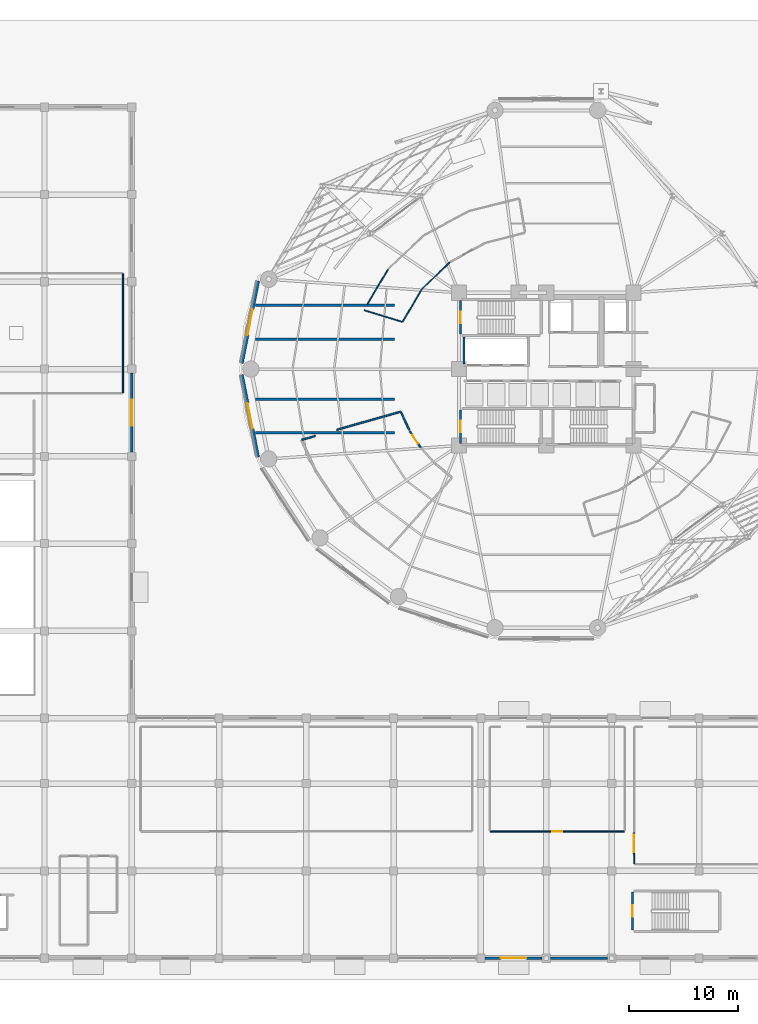
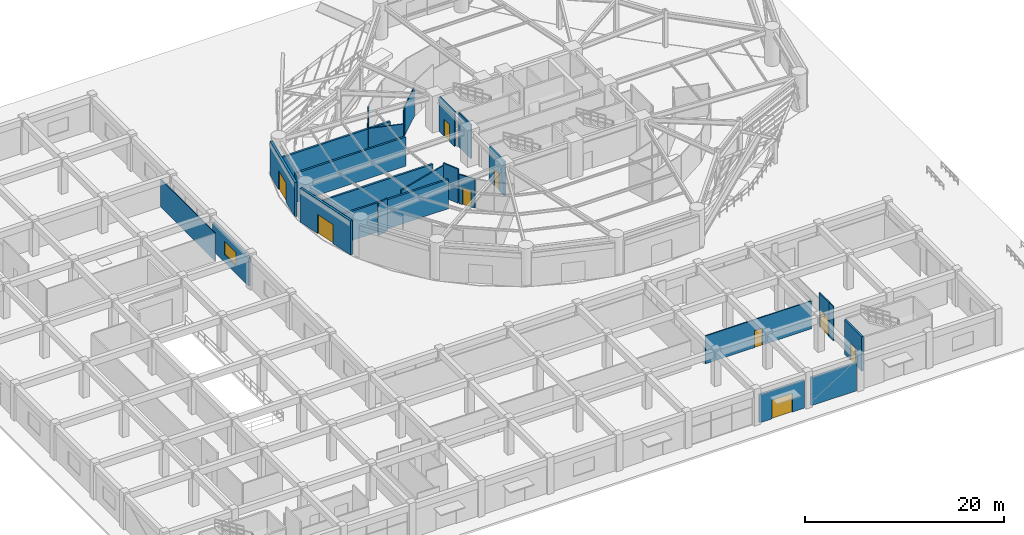
# One storey, part 28 of 40: 25 walls, 9 doors, 1 window, 10 openings.
"""IFC4 building model written with IfcOpenShell, lengths in metres."""

from ifc_helpers import new_model, si_unit, direction, frame, frame_2d, origin, place, context, subcontext, project, spatial, rectangle, extrude, material, layer, layer_set, type_object, element, fill, save


model = new_model("IFC4")

# Units and contexts
model_context = context("Model", 3, precision=1e-05, world=origin(), true_north=direction((0.0, 1.0)))
body_context = subcontext(model_context, "Body", "Model", "MODEL_VIEW")
ifc_project = project(units=[si_unit("LENGTHUNIT", "METRE"), si_unit("AREAUNIT", "SQUARE_METRE"), si_unit("VOLUMEUNIT", "CUBIC_METRE"), si_unit("PLANEANGLEUNIT", "RADIAN"), si_unit("MASSUNIT", "GRAM", prefix="KILO")], contexts=[model_context])

# Site, building, storey
site_placement = place(None, origin())
site = spatial("IfcSite", under=ifc_project, at=site_placement, CompositionType="ELEMENT")
building_placement = place(site_placement, origin())
building = spatial("IfcBuilding", under=site, at=building_placement, Name="Kelanora Arch Commons", CompositionType="ELEMENT")
storey_placement = place(building_placement, origin())
storey = spatial("IfcBuildingStorey", under=building, at=storey_placement, Name="L00", CompositionType="ELEMENT", Elevation=0.0)

# Wall
ifc_material_1 = material(Name="Autoclaved aerated concrete blockwork with fire plaster", Category="masonry")
ifc_layer_1 = layer(ifc_material_1, 0.14990234375)
ifc_layer_set_1 = layer_set([ifc_layer_1], Name="Autoclaved aerated concrete blockwork with fire plaster")
wall_type_1 = type_object("IfcWallType", Name="W-COMP-150", PredefinedType="PARTITIONING", material=ifc_layer_set_1)
wall_1_placement = place(storey_placement, frame((66.4599609375, 58.47998046875, 0.0), z_axis=(0.0, 0.0, 1.0), x_axis=(0.0, 1.0, 0.0)))
element("IfcWall", 1, at=wall_1_placement, inside=storey, type_object=wall_type_1, Name="Low-Rise Lift Bank West Wall L00", PredefinedType="PARTITIONING", context=body_context, shape_type="SweptSolid", body=[
    extrude(rectangle(XDim=2.4599609375, YDim=0.14990234375, at=frame_2d((1.22998046875, 0.0))), origin(), (0.0, 0.0, 1.0), 4.18994140625),
])

# Wall, opening, door
wall_2_placement = place(storey_placement, frame((82.050048828125, 13.510009765625, 0.0), z_axis=(0.0, 0.0, 1.0), x_axis=(0.0, 1.0, 0.0)))
wall_2 = element("IfcWall", 2, at=wall_2_placement, inside=storey, type_object=wall_type_1, Name="Market Enclosed HGV Loading and Servicing Bay Entry Partition", PredefinedType="PARTITIONING", context=body_context, shape_type="SweptSolid", body=[
    extrude(rectangle(XDim=1.97998046875, YDim=0.14990234375, at=frame_2d((0.989990234375, 0.0))), origin(), (0.0, 0.0, 1.0), 4.18994140625),
])
opening_1_placement = place(wall_2_placement, frame((0.18994140625, 0.0, 0.0)))
opening_1 = element("IfcOpeningElement", 3, at=opening_1_placement, cuts=wall_2, Name="Opening D-MK1", PredefinedType="OPENING", context=body_context, shape_type="SweptSolid", body=[
    extrude(rectangle(XDim=1.60009765625, YDim=2.14990234375, at=frame_2d((0.800048828125, 1.074951171875))), frame((0.0, 0.0849609375, 0.0), z_axis=(0.0, -1.0, 0.0), x_axis=(1.0, 0.0, 0.0)), (0.0, 0.0, 1.0), 0.169921875),
])
ifc_material_2 = material(Name="Glazed timber double market hall fire door", Category="wood")
door_type_1 = type_object("IfcDoorType", Name="D-MKT-160", OperationType="NOTDEFINED", PredefinedType="DOOR", material=ifc_material_2)
door_1_placement = place(opening_1_placement, origin())
door_1 = element("IfcDoor", 4, at=door_1_placement, inside=storey, type_object=door_type_1, Name="Market Enclosed HGV Loading and Servicing Bay Door", OperationType="SINGLE_SWING_RIGHT", OverallHeight=2.14990234375, OverallWidth=1.60009765625, PredefinedType="DOOR", context=body_context, shape_type="SweptSolid", body=[
    extrude(rectangle(XDim=1.60009765625, YDim=2.14990234375, at=frame_2d((0.800048828125, 1.074951171875))), frame((0.0, 0.02490234375, 0.0), z_axis=(0.0, -1.0, 0.0), x_axis=(1.0, 0.0, 0.0)), (0.0, 0.0, 1.0), 0.050048828125),
])
fill(opening_1, door_1)

wall_3_placement = place(storey_placement, frame((61.486083984375, 52.31884765625, 0.0), z_axis=(0.0, 0.0, 1.0), x_axis=(0.551109461678, -0.834432957912, 0.0)))
wall_3 = element("IfcWall", 5, at=wall_3_placement, inside=storey, type_object=wall_type_1, Name="Fire Command Centre Entry Partition", PredefinedType="PARTITIONING", context=body_context, shape_type="SweptSolid", body=[
    extrude(rectangle(XDim=1.806884765625, YDim=0.14990234375, at=frame_2d((0.9033203125, 0.0))), origin(), (0.0, 0.0, 1.0), 3.5849609375),
])
opening_2_placement = place(wall_3_placement, frame((0.427978515625, 0.0, 0.0)))
opening_2 = element("IfcOpeningElement", 6, at=opening_2_placement, cuts=wall_3, Name="Opening D-CLU1", PredefinedType="OPENING", context=body_context, shape_type="SweptSolid", body=[
    extrude(rectangle(XDim=0.949951171875, YDim=2.080078125, at=frame_2d((0.47509765625, 1.0400390625))), frame((0.0, 0.0849609375, 0.0), z_axis=(0.0, -1.0, 0.0), x_axis=(1.0, 0.0, 0.0)), (0.0, 0.0, 1.0), 0.169921875),
])
ifc_material_3 = material(Name="Solid-core acoustic timber cluster entry fire door", Category="wood")
door_type_2 = type_object("IfcDoorType", Name="D-CLU-95", OperationType="NOTDEFINED", PredefinedType="DOOR", material=ifc_material_3)
door_2_placement = place(opening_2_placement, origin())
door_2 = element("IfcDoor", 7, at=door_2_placement, inside=storey, type_object=door_type_2, Name="Fire Command Centre Door", OperationType="SINGLE_SWING_RIGHT", OverallHeight=2.080078125, OverallWidth=0.949951171875, PredefinedType="DOOR", context=body_context, shape_type="SweptSolid", body=[
    extrude(rectangle(XDim=0.949951171875, YDim=2.080078125, at=frame_2d((0.47509765625, 1.0400390625))), frame((0.0, 0.02490234375, 0.0), z_axis=(0.0, -1.0, 0.0), x_axis=(1.0, 0.0, 0.0)), (0.0, 0.0, 1.0), 0.050048828125),
])
fill(opening_2, door_2)

# Walls
wall_4_placement = place(storey_placement, frame((60.6826171875, 54.063720703125, 0.0), z_axis=(0.0, 0.0, 1.0), x_axis=(0.413772648006, -0.910380247897, 0.0)))
element("IfcWall", 8, at=wall_4_placement, inside=storey, type_object=wall_type_1, Name="Fire Command Centre Enclosure Partition 1", PredefinedType="PARTITIONING", context=body_context, shape_type="SweptSolid", body=[
    extrude(rectangle(XDim=1.821533203125, YDim=0.14990234375, at=frame_2d((0.91064453125, 0.0))), origin(), (0.0, 0.0, 1.0), 4.18994140625),
])
wall_5_placement = place(storey_placement, frame((51.593505859375, 51.52197265625, 0.0), z_axis=(0.0, 0.0, 1.0), x_axis=(0.961913594606, 0.273353683919, 0.0)))
element("IfcWall", 9, at=wall_5_placement, inside=storey, type_object=wall_type_1, Name="Fire Command Centre Enclosure Partition 10", PredefinedType="PARTITIONING", context=body_context, shape_type="SweptSolid", body=[
    extrude(rectangle(XDim=1.273681640625, YDim=0.14990234375, at=frame_2d((0.63671875, 0.0))), origin(), (0.0, 0.0, 1.0), 3.945068359375),
])
wall_6_placement = place(storey_placement, frame((54.7890625, 52.429931640625, 0.0), z_axis=(0.0, 0.0, 1.0), x_axis=(0.961911562736, 0.273360833836, 0.0)))
element("IfcWall", 10, at=wall_6_placement, inside=storey, type_object=wall_type_1, Name="Fire Command Centre Enclosure Partition 10", PredefinedType="PARTITIONING", context=body_context, shape_type="SweptSolid", body=[
    extrude(rectangle(XDim=6.069580078125, YDim=0.14990234375, at=frame_2d((3.03466796875, 0.0))), origin(), (0.0, 0.0, 1.0), 3.885009765625),
])

# Wall, opening, door
ifc_material_4 = material(Name="Precast concrete C40/50 with terracotta ceramic cladding", Category="masonry")
ifc_layer_2 = layer(ifc_material_4, 0.25)
ifc_layer_set_2 = layer_set([ifc_layer_2], Name="Precast concrete C40/50 with terracotta ceramic cladding")
wall_type_2 = type_object("IfcWallType", Name="W-EXT-MKT", PredefinedType="SOLIDWALL", material=ifc_layer_set_2)
wall_7_placement = place(storey_placement, frame((68.3798828125, 4.0, 0.0), z_axis=(0.0, 0.0, 1.0), x_axis=(1.0, 0.0, 0.0)))
wall_7 = element("IfcWall", 11, at=wall_7_placement, inside=storey, type_object=wall_type_2, Name="Market Hall Exterior Wall L00-08", PredefinedType="SOLIDWALL", context=body_context, shape_type="SweptSolid", body=[
    extrude(rectangle(XDim=5.240234375, YDim=0.25, at=frame_2d((2.6201171875, 0.0))), origin(), (0.0, 0.0, 1.0), 3.419921875),
])
opening_3_placement = place(wall_7_placement, frame((1.445068359375, 0.0, 0.0)))
opening_3 = element("IfcOpeningElement", 12, at=opening_3_placement, cuts=wall_7, Name="Opening DX-02", PredefinedType="OPENING", context=body_context, shape_type="SweptSolid", body=[
    extrude(rectangle(XDim=2.35009765625, YDim=2.300048828125, at=frame_2d((1.175048828125, 1.14990234375))), frame((0.0, 0.135009765625, 0.0), z_axis=(0.0, -1.0, 0.0), x_axis=(1.0, 0.0, 0.0)), (0.0, 0.0, 1.0), 0.27001953125),
])
ifc_material_5 = material(Name="Powder-coated aluminium glazed double escape door", Category="aluminium")
door_type_3 = type_object("IfcDoorType", Name="D-EXIT-20", OperationType="NOTDEFINED", PredefinedType="DOOR", material=ifc_material_5)
door_3_placement = place(opening_3_placement, frame((2.35009765625, 0.0, 0.0), z_axis=(0.0, 0.0, 1.0), x_axis=(-1.0, 0.0, 0.0)))
door_3 = element("IfcDoor", 13, at=door_3_placement, inside=storey, type_object=door_type_3, Name="Market Hall Pedestrian Exit Door 08", OperationType="DOUBLE_DOOR_SINGLE_SWING", OverallHeight=2.300048828125, OverallWidth=2.35009765625, PredefinedType="DOOR", context=body_context, shape_type="SweptSolid", body=[
    extrude(rectangle(XDim=2.35009765625, YDim=2.300048828125, at=frame_2d((1.175048828125, 1.14990234375))), frame((0.0, 0.02490234375, 0.0), z_axis=(0.0, -1.0, 0.0), x_axis=(1.0, 0.0, 0.0)), (0.0, 0.0, 1.0), 0.050048828125),
])
fill(opening_3, door_3)

# Wall
wall_8_placement = place(storey_placement, frame((74.3798828125, 4.0, 0.0), z_axis=(0.0, 0.0, 1.0), x_axis=(1.0, 0.0, 0.0)))
element("IfcWall", 14, at=wall_8_placement, inside=storey, type_object=wall_type_2, Name="Market Hall Exterior Wall L00-09", PredefinedType="SOLIDWALL", context=body_context, shape_type="SweptSolid", body=[
    extrude(rectangle(XDim=5.240234375, YDim=0.25, at=frame_2d((2.6201171875, 0.0))), origin(), (0.0, 0.0, 1.0), 3.419921875),
])

# Wall, opening, window
wall_9_placement = place(storey_placement, frame((36.0, 50.3798828125, 0.0), z_axis=(0.0, 0.0, 1.0), x_axis=(0.0, 1.0, 0.0)))
wall_9 = element("IfcWall", 15, at=wall_9_placement, inside=storey, type_object=wall_type_2, Name="Market Hall Exterior Wall L00-26", PredefinedType="SOLIDWALL", context=body_context, shape_type="SweptSolid", body=[
    extrude(rectangle(XDim=7.240234375, YDim=0.25, at=frame_2d((3.6201171875, 0.0))), origin(), (0.0, 0.0, 1.0), 3.419921875),
])
opening_4_placement = place(wall_9_placement, frame((2.419921875, 0.0, 0.949951171875)))
opening_4 = element("IfcOpeningElement", 16, at=opening_4_placement, cuts=wall_9, Name="Opening WN-03", PredefinedType="OPENING", context=body_context, shape_type="SweptSolid", body=[
    extrude(rectangle(XDim=2.39990234375, YDim=1.64990234375, at=frame_2d((1.199951171875, 0.824951171875))), frame((0.0, 0.135009765625, 0.0), z_axis=(0.0, -1.0, 0.0), x_axis=(1.0, 0.0, 0.0)), (0.0, 0.0, 1.0), 0.27001953125),
])
ifc_material_6 = material(Name="Bronze-terracotta aluminium monsoon clerestory window", Category="masonry")
window_type = type_object("IfcWindowType", Name="WIN-MKT-24", PartitioningType="TRIPLE_PANEL_VERTICAL", PredefinedType="WINDOW", material=ifc_material_6)
window_placement = place(opening_4_placement, origin())
window = element("IfcWindow", 17, at=window_placement, inside=storey, type_object=window_type, Name="Market Hall Clerestory Window L00-26", OverallHeight=1.64990234375, OverallWidth=2.39990234375, PartitioningType="SINGLE_PANEL", PredefinedType="WINDOW", context=body_context, shape_type="SweptSolid", body=[
    extrude(rectangle(XDim=2.39990234375, YDim=1.64990234375, at=frame_2d((1.199951171875, 0.824951171875))), frame((0.0, 0.030029296875, 0.0), z_axis=(0.0, -1.0, 0.0), x_axis=(1.0, 0.0, 0.0)), (0.0, 0.0, 1.0), 0.06005859375),
])
fill(opening_4, window)

# Wall, opening, door
ifc_material_7 = material(Name="Precast concrete C40/50 with terracotta rainscreen", Category="masonry")
ifc_layer_3 = layer(ifc_material_7, 0.260009765625)
ifc_layer_set_3 = layer_set([ifc_layer_3], Name="Precast concrete C40/50 with terracotta rainscreen")
wall_type_3 = type_object("IfcWallType", Name="W-EXT-TC", PredefinedType="SOLIDWALL", material=ifc_layer_set_3)
wall_10_placement = place(storey_placement, frame((47.595703125, 66.080078125, 0.0), z_axis=(0.0, 0.0, 1.0), x_axis=(-0.193726159581, -0.98105564322, 0.0)))
wall_10 = element("IfcWall", 18, at=wall_10_placement, inside=storey, type_object=wall_type_3, Name="Terracotta Exterior Wall L00-B08", PredefinedType="SOLIDWALL", context=body_context, shape_type="SweptSolid", body=[
    extrude(rectangle(XDim=7.70263671875, YDim=0.260009765625, at=frame_2d((3.851318359375, 0.0))), origin(), (0.0, 0.0, 1.0), 4.18505859375),
])
opening_5_placement = place(wall_10_placement, frame((2.65087890625, 0.0, 0.0)))
opening_5 = element("IfcOpeningElement", 19, at=opening_5_placement, cuts=wall_10, Name="Opening DX-01", PredefinedType="OPENING", context=body_context, shape_type="SweptSolid", body=[
    extrude(rectangle(XDim=2.39990234375, YDim=2.35009765625, at=frame_2d((1.199951171875, 1.175048828125))), frame((0.0, 0.14013671875, 0.0), z_axis=(0.0, -1.0, 0.0), x_axis=(1.0, 0.0, 0.0)), (0.0, 0.0, 1.0), 0.280029296875),
])
door_type_4 = type_object("IfcDoorType", Name="D-EXIT-22", OperationType="NOTDEFINED", PredefinedType="DOOR", material=ifc_material_5)
door_4_placement = place(opening_5_placement, frame((2.39990234375, 0.0, 0.0), z_axis=(0.0, 0.0, 1.0), x_axis=(-1.0, 0.0, 0.0)))
door_4 = element("IfcDoor", 20, at=door_4_placement, inside=storey, type_object=door_type_4, Name="Tower Ground Pedestrian Exit Door T08", OperationType="DOUBLE_DOOR_SINGLE_SWING", OverallHeight=2.35009765625, OverallWidth=2.39990234375, PredefinedType="DOOR", context=body_context, shape_type="SweptSolid", body=[
    extrude(rectangle(XDim=2.39990234375, YDim=2.35009765625, at=frame_2d((1.199951171875, 1.175048828125))), frame((0.0, 0.02490234375, 0.0), z_axis=(0.0, -1.0, 0.0), x_axis=(1.0, 0.0, 0.0)), (0.0, 0.0, 1.0), 0.050048828125),
])
fill(opening_5, door_4)

wall_11_placement = place(storey_placement, frame((46.103515625, 57.4765625, 0.0), z_axis=(0.0, 0.0, 1.0), x_axis=(0.193726159581, -0.98105564322, 0.0)))
wall_11 = element("IfcWall", 21, at=wall_11_placement, inside=storey, type_object=wall_type_3, Name="Terracotta Exterior Wall L00-B09", PredefinedType="SOLIDWALL", context=body_context, shape_type="SweptSolid", body=[
    extrude(rectangle(XDim=7.70263671875, YDim=0.260009765625, at=frame_2d((3.851318359375, 0.0))), origin(), (0.0, 0.0, 1.0), 4.18505859375),
])
opening_6_placement = place(wall_11_placement, frame((2.65087890625, 0.0, 0.0)))
opening_6 = element("IfcOpeningElement", 22, at=opening_6_placement, cuts=wall_11, Name="Opening DX-01", PredefinedType="OPENING", context=body_context, shape_type="SweptSolid", body=[
    extrude(rectangle(XDim=2.39990234375, YDim=2.35009765625, at=frame_2d((1.199951171875, 1.175048828125))), frame((0.0, 0.14013671875, 0.0), z_axis=(0.0, -1.0, 0.0), x_axis=(1.0, 0.0, 0.0)), (0.0, 0.0, 1.0), 0.280029296875),
])
door_5_placement = place(opening_6_placement, frame((2.39990234375, 0.0, 0.0), z_axis=(0.0, 0.0, 1.0), x_axis=(-1.0, 0.0, 0.0)))
door_5 = element("IfcDoor", 23, at=door_5_placement, inside=storey, type_object=door_type_4, Name="Tower Ground Pedestrian Exit Door T09", OperationType="DOUBLE_DOOR_SINGLE_SWING", OverallHeight=2.35009765625, OverallWidth=2.39990234375, PredefinedType="DOOR", context=body_context, shape_type="SweptSolid", body=[
    extrude(rectangle(XDim=2.39990234375, YDim=2.35009765625, at=frame_2d((1.199951171875, 1.175048828125))), frame((0.0, 0.02490234375, 0.0), z_axis=(0.0, -1.0, 0.0), x_axis=(1.0, 0.0, 0.0)), (0.0, 0.0, 1.0), 0.050048828125),
])
fill(opening_6, door_5)

# Walls
ifc_material_8 = material(Name="Lightweight fire-rated acoustic stud partition")
ifc_layer_4 = layer(ifc_material_8, 0.10009765625)
ifc_layer_set_4 = layer_set([ifc_layer_4], Name="Lightweight fire-rated acoustic stud partition")
wall_type_4 = type_object("IfcWallType", Name="W-PART-100", PredefinedType="PARTITIONING", material=ifc_layer_set_4)
wall_12_placement = place(storey_placement, frame((82.050048828125, 13.510009765625, 0.0), z_axis=(0.0, 0.0, 1.0), x_axis=(0.0, -1.0, 0.0)))
element("IfcWall", 24, at=wall_12_placement, inside=storey, type_object=wall_type_4, Name="Market Enclosed HGV Loading and Servicing Bay Enclosure Partition 4", PredefinedType="PARTITIONING", context=body_context, shape_type="SweptSolid", body=[
    extrude(rectangle(XDim=0.8701171875, YDim=0.10009765625, at=frame_2d((0.43505859375, 0.0))), origin(), (0.0, 0.0, 1.0), 4.18994140625),
])
wall_13_placement = place(storey_placement, frame((35.199951171875, 55.840087890625, 0.0), z_axis=(0.0, 0.0, 1.0), x_axis=(0.0, 1.0, 0.0)))
element("IfcWall", 25, at=wall_13_placement, inside=storey, type_object=wall_type_4, Name="Street Hawker and Tea Arcade Enclosure Partition 2", PredefinedType="PARTITIONING", context=body_context, shape_type="SweptSolid", body=[
    extrude(rectangle(XDim=10.919921875, YDim=0.10009765625, at=frame_2d((5.4599609375, 0.0))), origin(), (0.0, 0.0, 1.0), 3.425048828125),
])
wall_14_placement = place(storey_placement, frame((65.148193359375, 67.7802734375, 0.0), z_axis=(0.0, 0.0, 1.0), x_axis=(-0.722428617801, -0.691445509192, 0.0)))
element("IfcWall", 26, at=wall_14_placement, inside=storey, type_object=wall_type_4, Name="Courtyard Communal Dining Pavilion North Enclosure Partition 3", PredefinedType="PARTITIONING", context=body_context, shape_type="SweptSolid", body=[
    extrude(rectangle(XDim=3.506591796875, YDim=0.10009765625, at=frame_2d((1.75341796875, 0.0))), origin(), (0.0, 0.0, 1.0), 3.5849609375),
])
wall_15_placement = place(storey_placement, frame((62.56591796875, 65.29345703125, 0.0), z_axis=(0.0, 0.0, 1.0), x_axis=(-0.504538896435, -0.863388963321, 0.0)))
element("IfcWall", 27, at=wall_15_placement, inside=storey, type_object=wall_type_4, Name="Courtyard Communal Dining Pavilion North Enclosure Partition 4", PredefinedType="PARTITIONING", context=body_context, shape_type="SweptSolid", body=[
    extrude(rectangle(XDim=3.408447265625, YDim=0.10009765625, at=frame_2d((1.7041015625, 0.0))), origin(), (0.0, 0.0, 1.0), 3.5849609375),
])
wall_16_placement = place(storey_placement, frame((60.787841796875, 62.32763671875, 0.0), z_axis=(0.0, 0.0, 1.0), x_axis=(-0.95616581323, 0.292825780302, 0.0)))
element("IfcWall", 28, at=wall_16_placement, inside=storey, type_object=wall_type_4, Name="Courtyard Communal Dining Pavilion North Enclosure Partition 5", PredefinedType="PARTITIONING", context=body_context, shape_type="SweptSolid", body=[
    extrude(rectangle(XDim=3.635986328125, YDim=0.10009765625, at=frame_2d((1.81787109375, 0.0))), origin(), (0.0, 0.0, 1.0), 3.945068359375),
])
wall_17_placement = place(storey_placement, frame((57.581787109375, 63.925048828125, 0.0), z_axis=(0.0, 0.0, 1.0), x_axis=(0.510042246843, 0.860149351238, 0.0)))
element("IfcWall", 29, at=wall_17_placement, inside=storey, type_object=wall_type_4, Name="Courtyard Communal Dining Pavilion North Enclosure Partition 6", PredefinedType="PARTITIONING", context=body_context, shape_type="SweptSolid", body=[
    extrude(rectangle(XDim=3.73828125, YDim=0.10009765625, at=frame_2d((1.869140625, 0.0))), origin(), (0.0, 0.0, 1.0), 3.5849609375),
])

# Wall, opening, door
ifc_material_9 = material(Name="Acoustic twin-stud fire-rated gypsum partition")
ifc_layer_5 = layer(ifc_material_9, 0.1201171875)
ifc_layer_set_5 = layer_set([ifc_layer_5], Name="Acoustic twin-stud fire-rated gypsum partition")
wall_type_5 = type_object("IfcWallType", Name="W-PART-120", PredefinedType="PARTITIONING", material=ifc_layer_set_5)
wall_18_placement = place(storey_placement, frame((68.860107421875, 15.6201171875, 0.0), z_axis=(0.0, 0.0, 1.0), x_axis=(1.0, 0.0, 0.0)))
wall_18 = element("IfcWall", 30, at=wall_18_placement, inside=storey, type_object=wall_type_5, Name="Fresh Seafood and Dry Goods Market Stalls Entry Partition", PredefinedType="PARTITIONING", context=body_context, shape_type="SweptSolid", body=[
    extrude(rectangle(XDim=12.27978515625, YDim=0.1201171875, at=frame_2d((6.139892578125, 0.0))), origin(), (0.0, 0.0, 1.0), 3.425048828125),
])
opening_7_placement = place(wall_18_placement, frame((5.68994140625, 0.0, 0.0)))
opening_7 = element("IfcOpeningElement", 31, at=opening_7_placement, cuts=wall_18, Name="Opening D-RM1", PredefinedType="OPENING", context=body_context, shape_type="SweptSolid", body=[
    extrude(rectangle(XDim=0.89990234375, YDim=2.080078125, at=frame_2d((0.449951171875, 1.0400390625))), frame((0.0, 0.070068359375, 0.0), z_axis=(0.0, -1.0, 0.0), x_axis=(1.0, 0.0, 0.0)), (0.0, 0.0, 1.0), 0.14013671875),
])
ifc_material_10 = material(Name="Acoustic fire-rated timber study and lounge door", Category="wood")
door_type_5 = type_object("IfcDoorType", Name="D-ROOM-90", OperationType="NOTDEFINED", PredefinedType="DOOR", material=ifc_material_10)
door_6_placement = place(opening_7_placement, origin())
door_6 = element("IfcDoor", 32, at=door_6_placement, inside=storey, type_object=door_type_5, Name="Fresh Seafood and Dry Goods Market Stalls Door", OperationType="SINGLE_SWING_LEFT", OverallHeight=2.080078125, OverallWidth=0.89990234375, PredefinedType="DOOR", context=body_context, shape_type="SweptSolid", body=[
    extrude(rectangle(XDim=0.89990234375, YDim=2.080078125, at=frame_2d((0.449951171875, 1.0400390625))), frame((0.0, 0.02490234375, 0.0), z_axis=(0.0, -1.0, 0.0), x_axis=(1.0, 0.0, 0.0)), (0.0, 0.0, 1.0), 0.050048828125),
])
fill(opening_7, door_6)

# Walls
ifc_material_11 = material(Name="Concrete C40/50", Category="concrete")
ifc_layer_6 = layer(ifc_material_11, 0.219970703125)
ifc_layer_set_6 = layer_set([ifc_layer_6], Name="Concrete C40/50")
wall_type_6 = type_object("IfcWallType", Name="W-REF-200", PredefinedType="SOLIDWALL", material=ifc_layer_set_6)
for number, where, z_axis, x_axis, name in (
    (33, (47.320068359375, 63.85009765625, 0.0), (0.0, 0.0, 1.0), (1.0, 0.0, 0.0), "Protected Exit Passageway Wall TPASS-T1-N"),
    (34, (47.320068359375, 60.75, 0.0), (0.0, 0.0, 1.0), (1.0, 0.0, 0.0), "Protected Exit Passageway Wall TPASS-T1-S"),
    (35, (47.320068359375, 55.25, 0.0), (0.0, 0.0, 1.0), (1.0, 0.0, 0.0), "Protected Exit Passageway Wall TPASS-T3-N"),
    (36, (47.320068359375, 52.14990234375, 0.0), (0.0, 0.0, 1.0), (1.0, 0.0, 0.0), "Protected Exit Passageway Wall TPASS-T3-S"),
):
    element("IfcWall", number, at=place(storey_placement, frame(where, z_axis=z_axis, x_axis=x_axis)), inside=storey, type_object=wall_type_6, Name=name, PredefinedType="SOLIDWALL", context=body_context, shape_type="SweptSolid", body=[
        extrude(rectangle(XDim=12.760009765625, YDim=0.219970703125, at=frame_2d((6.3798828125, 0.0))), origin(), (0.0, 0.0, 1.0), 3.5849609375),
    ])

# Wall, opening, door
ifc_layer_7 = layer(ifc_material_11, 0.199951171875)
ifc_layer_set_7 = layer_set([ifc_layer_7], Name="Concrete C40/50")
wall_type_7 = type_object("IfcWallType", Name="W-STAIR-200", PredefinedType="SHEAR", material=ifc_layer_set_7)
wall_19_placement = place(storey_placement, frame((66.139892578125, 64.27001953125, 0.0), z_axis=(0.0, 0.0, 1.0), x_axis=(0.0, -1.0, 0.0)))
wall_19 = element("IfcWall", 37, at=wall_19_placement, inside=storey, type_object=wall_type_7, Name="Stair ST-T1 Shaft Wall W L00", PredefinedType="SHEAR", context=body_context, shape_type="SweptSolid", body=[
    extrude(rectangle(XDim=3.070068359375, YDim=0.199951171875, at=frame_2d((1.53515625, 0.0))), origin(), (0.0, 0.0, 1.0), 4.199951171875),
])
opening_8_placement = place(wall_19_placement, frame((1.010009765625, 0.0, 0.0)))
opening_8 = element("IfcOpeningElement", 38, at=opening_8_placement, cuts=wall_19, Name="Opening D-ST1", PredefinedType="OPENING", context=body_context, shape_type="SweptSolid", body=[
    extrude(rectangle(XDim=1.050048828125, YDim=2.10009765625, at=frame_2d((0.52490234375, 1.050048828125))), frame((0.0, 0.10986328125, 0.0), z_axis=(0.0, -1.0, 0.0), x_axis=(1.0, 0.0, 0.0)), (0.0, 0.0, 1.0), 0.219970703125),
])
ifc_material_12 = material(Name="Steel fire-rated stairwell escape door", Category="steel")
door_type_6 = type_object("IfcDoorType", Name="D-STAIR-110", OperationType="NOTDEFINED", PredefinedType="DOOR", material=ifc_material_12)
door_7_placement = place(opening_8_placement, origin())
door_7 = element("IfcDoor", 39, at=door_7_placement, inside=storey, type_object=door_type_6, Name="Stair ST-T1 Escape Door L00", OperationType="SINGLE_SWING_LEFT", OverallHeight=2.10009765625, OverallWidth=1.050048828125, PredefinedType="DOOR", context=body_context, shape_type="SweptSolid", body=[
    extrude(rectangle(XDim=1.050048828125, YDim=2.10009765625, at=frame_2d((0.52490234375, 1.050048828125))), frame((0.0, 0.02490234375, 0.0), z_axis=(0.0, -1.0, 0.0), x_axis=(1.0, 0.0, 0.0)), (0.0, 0.0, 1.0), 0.050048828125),
])
fill(opening_8, door_7)

wall_20_placement = place(storey_placement, frame((66.139892578125, 54.27001953125, 0.0), z_axis=(0.0, 0.0, 1.0), x_axis=(0.0, -1.0, 0.0)))
wall_20 = element("IfcWall", 40, at=wall_20_placement, inside=storey, type_object=wall_type_7, Name="Stair ST-T3 Shaft Wall W L00", PredefinedType="SHEAR", context=body_context, shape_type="SweptSolid", body=[
    extrude(rectangle(XDim=3.070068359375, YDim=0.199951171875, at=frame_2d((1.53515625, 0.0))), origin(), (0.0, 0.0, 1.0), 4.199951171875),
])
opening_9_placement = place(wall_20_placement, frame((1.010009765625, 0.0, 0.0)))
opening_9 = element("IfcOpeningElement", 41, at=opening_9_placement, cuts=wall_20, Name="Opening D-ST1", PredefinedType="OPENING", context=body_context, shape_type="SweptSolid", body=[
    extrude(rectangle(XDim=1.050048828125, YDim=2.10009765625, at=frame_2d((0.52490234375, 1.050048828125))), frame((0.0, 0.10986328125, 0.0), z_axis=(0.0, -1.0, 0.0), x_axis=(1.0, 0.0, 0.0)), (0.0, 0.0, 1.0), 0.219970703125),
])
door_8_placement = place(opening_9_placement, origin())
door_8 = element("IfcDoor", 42, at=door_8_placement, inside=storey, type_object=door_type_6, Name="Stair ST-T3 Escape Door L00", OperationType="SINGLE_SWING_LEFT", OverallHeight=2.10009765625, OverallWidth=1.050048828125, PredefinedType="DOOR", context=body_context, shape_type="SweptSolid", body=[
    extrude(rectangle(XDim=1.050048828125, YDim=2.10009765625, at=frame_2d((0.52490234375, 1.050048828125))), frame((0.0, 0.02490234375, 0.0), z_axis=(0.0, -1.0, 0.0), x_axis=(1.0, 0.0, 0.0)), (0.0, 0.0, 1.0), 0.050048828125),
])
fill(opening_9, door_8)

wall_21_placement = place(storey_placement, frame((81.89990234375, 10.050048828125, 0.0), z_axis=(0.0, 0.0, 1.0), x_axis=(0.0, -1.0, 0.0)))
wall_21 = element("IfcWall", 43, at=wall_21_placement, inside=storey, type_object=wall_type_7, Name="Stair ST-M2 Shaft Wall W L00", PredefinedType="SHEAR", context=body_context, shape_type="SweptSolid", body=[
    extrude(rectangle(XDim=3.469970703125, YDim=0.199951171875, at=frame_2d((1.73486328125, 0.0))), origin(), (0.0, 0.0, 1.0), 4.239990234375),
])
opening_10_placement = place(wall_21_placement, frame((1.2099609375, 0.0, 0.0)))
opening_10 = element("IfcOpeningElement", 44, at=opening_10_placement, cuts=wall_21, Name="Opening D-ST1", PredefinedType="OPENING", context=body_context, shape_type="SweptSolid", body=[
    extrude(rectangle(XDim=1.050048828125, YDim=2.10009765625, at=frame_2d((0.52490234375, 1.050048828125))), frame((0.0, 0.10986328125, 0.0), z_axis=(0.0, -1.0, 0.0), x_axis=(1.0, 0.0, 0.0)), (0.0, 0.0, 1.0), 0.219970703125),
])
door_9_placement = place(opening_10_placement, origin())
door_9 = element("IfcDoor", 45, at=door_9_placement, inside=storey, type_object=door_type_6, Name="Stair ST-M2 Escape Door L00", OperationType="SINGLE_SWING_LEFT", OverallHeight=2.10009765625, OverallWidth=1.050048828125, PredefinedType="DOOR", context=body_context, shape_type="SweptSolid", body=[
    extrude(rectangle(XDim=1.050048828125, YDim=2.10009765625, at=frame_2d((0.52490234375, 1.050048828125))), frame((0.0, 0.02490234375, 0.0), z_axis=(0.0, -1.0, 0.0), x_axis=(1.0, 0.0, 0.0)), (0.0, 0.0, 1.0), 0.050048828125),
])
fill(opening_10, door_9)

save(model, "model.ifc")
